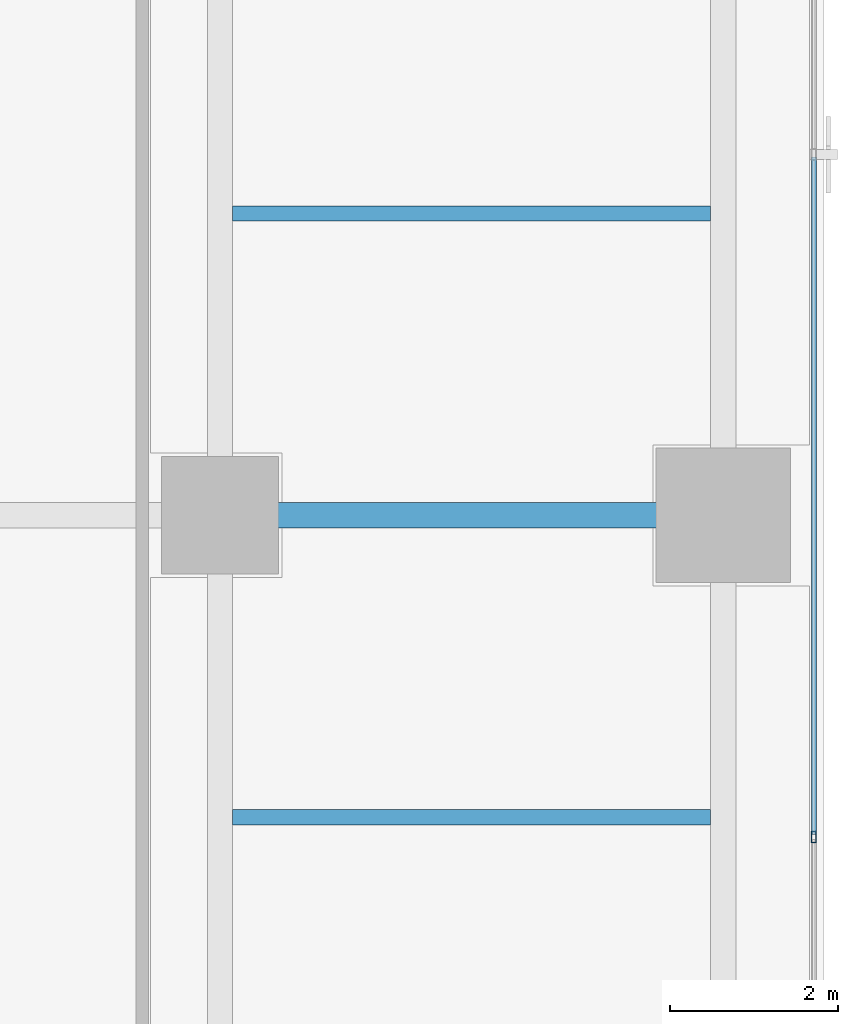
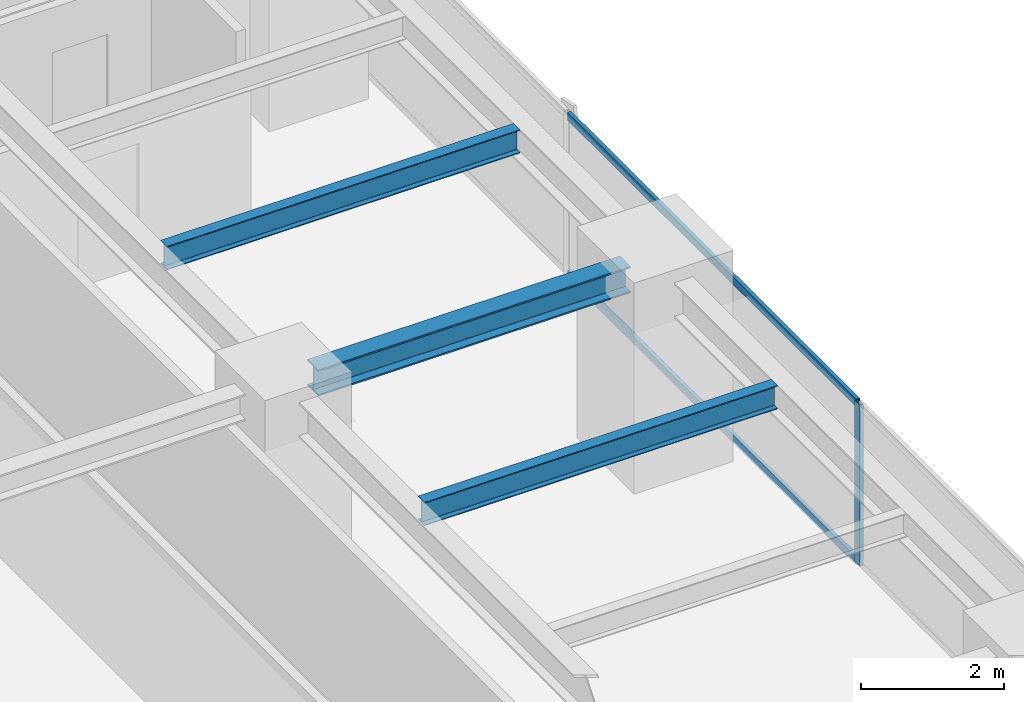
# One storey, part 15 of 28: 3 beams, 3 members, 1 element without a shape of its own.
"""IFC4 building model written with IfcOpenShell, lengths in metres."""

from ifc_helpers import new_model, si_unit, direction, frame, origin, origin_2d, place, context, subcontext, project, spatial, hollow_rectangle, i_section, extrude, source, transform, mapped, material, layer, layer_set, material_profile, profile_set, type_object, element, aggregate, save


model = new_model("IFC4")

# Units and contexts
model_context = context("Model", 3, precision=1e-05, world=origin(), true_north=direction((0.0, 1.0)))
body_context = subcontext(model_context, "Body", "Model", "MODEL_VIEW")
ifc_project = project(units=[si_unit("LENGTHUNIT", "METRE"), si_unit("AREAUNIT", "SQUARE_METRE"), si_unit("VOLUMEUNIT", "CUBIC_METRE"), si_unit("PLANEANGLEUNIT", "RADIAN"), si_unit("MASSUNIT", "GRAM", prefix="KILO")], contexts=[model_context])

# Site, building, storey
site_placement = place(None, origin())
site = spatial("IfcSite", under=ifc_project, at=site_placement, CompositionType="ELEMENT")
building_placement = place(site_placement, origin())
building = spatial("IfcBuilding", under=site, at=building_placement, Name="Sumidabori Civic Tower", CompositionType="ELEMENT")
storey_placement = place(building_placement, frame((0.0, 0.0, 210.800048828125)))
storey = spatial("IfcBuildingStorey", under=building, at=storey_placement, Name="L54", CompositionType="ELEMENT", Elevation=210.800048828125)

# Beams
ifc_material_1 = material(Name="Steel SN490", Category="steel")
ifc_material_profile_1 = material_profile(ifc_material_1, i_section(OverallWidth=0.179931640625, OverallDepth=0.39990234375, WebThickness=0.008544921875, FlangeThickness=0.013427734375, at=origin_2d()), Name="IPE 400")
ifc_profile_set_1 = profile_set([ifc_material_profile_1], Name="Steel SN490")
beam_type_1 = type_object("IfcBeamType", Name="BM-JST-400", PredefinedType="JOIST", material=ifc_profile_set_1)
shared_shape_1 = source(origin(), body_context, "Body", "SweptSolid", [
    extrude(i_section(OverallWidth=0.179931640625, OverallDepth=0.39990234375, WebThickness=0.008544921875, FlangeThickness=0.013427734375, at=origin_2d()), origin(), (0.0, 0.0, 1.0), 5.699951171875),
])
for number, where, z_axis, x_axis, name in (
    (1, (16.949951171875, -3.60009765625, 3.179931640625), (1.0, 0.0, 0.0), (0.0, 1.0, 0.0), "Outer Bay Floor Joist L54 JSTO-28"),
    (2, (16.949951171875, 3.60009765625, 3.179931640625), (1.0, 0.0, 0.0), (0.0, 1.0, 0.0), "Outer Bay Floor Joist L54 JSTO-30"),
):
    element("IfcBeam", number, at=place(storey_placement, frame(where, z_axis=z_axis, x_axis=x_axis)), inside=storey, type_object=beam_type_1, Name=name, PredefinedType="JOIST", context=body_context, shape_type="MappedRepresentation", body=[
        mapped(shared_shape_1, transform((0.0, 0.0, 0.0), x_axis=(1.0, 0.0, 0.0), y_axis=(0.0, 1.0, 0.0), z_axis=(0.0, 0.0, 1.0), scale=1.0)),
    ])
ifc_material_profile_2 = material_profile(ifc_material_1, i_section(OverallWidth=0.300048828125, OverallDepth=0.449951171875, WebThickness=0.013916015625, FlangeThickness=0.02587890625, at=origin_2d()), Name="HE 450 B")
ifc_profile_set_2 = profile_set([ifc_material_profile_2], Name="Steel SN490")
beam_type_2 = type_object("IfcBeamType", Name="BM-GIRD-450", PredefinedType="BEAM", material=ifc_profile_set_2)
shared_shape_2 = source(origin(), body_context, "Body", "SweptSolid", [
    extrude(i_section(OverallWidth=0.300048828125, OverallDepth=0.449951171875, WebThickness=0.013916015625, FlangeThickness=0.02587890625, at=origin_2d()), origin(), (0.0, 0.0, 1.0), 5.0400390625),
])
beam_placement = place(storey_placement, frame((17.280029296875, 0.0, 3.155029296875), z_axis=(1.0, 0.0, 0.0), x_axis=(0.0, 1.0, 0.0)))
element("IfcBeam", 3, at=beam_placement, inside=storey, type_object=beam_type_2, Name="Primary Girder L54 GX-08", PredefinedType="BEAM", context=body_context, shape_type="MappedRepresentation", body=[
    mapped(shared_shape_2, transform((0.0, 0.0, 0.0), x_axis=(1.0, 0.0, 0.0), y_axis=(0.0, 1.0, 0.0), z_axis=(0.0, 0.0, 1.0), scale=1.0)),
])

# Curtain wall, members
ifc_material_2 = material(Name="Anodised Bronze Aluminium AW-6063-T6", Category="aluminium")
ifc_layer = layer(ifc_material_2, 0.179931640625, Name="Anodised Bronze Aluminium AW-6063-T6")
ifc_layer_set = layer_set([ifc_layer], Name="Anodised Bronze Aluminium AW-6063-T6")
curtain_wall_type = type_object("IfcCurtainWallType", Name="CW-SYS-5", PredefinedType="NOTDEFINED", material=ifc_layer_set)
curtain_wall_placement = place(storey_placement, origin())
curtain_wall = element("IfcCurtainWall", 4, at=curtain_wall_placement, inside=storey, type_object=curtain_wall_type, Name="Curtain Wall CW:L54:R10", PredefinedType="NOTDEFINED")
ifc_material_profile_3 = material_profile(ifc_material_2, hollow_rectangle(XDim=0.06005859375, YDim=0.139892578125, WallThickness=0.0048828125, at=origin_2d()), Name="ALU MULLION 140x60")
ifc_profile_set_3 = profile_set([ifc_material_profile_3], Name="Anodised Bronze Aluminium AW-6063-T6")
member_type_1 = type_object("IfcMemberType", Name="CW-MUL-140", PredefinedType="MULLION", material=ifc_profile_set_3)
shared_shape_3 = source(origin(), body_context, "Body", "SweptSolid", [
    extrude(hollow_rectangle(XDim=0.06005859375, YDim=0.139892578125, WallThickness=0.0048828125, at=origin_2d()), origin(), (0.0, 0.0, 1.0), 2.760009765625),
])
member_1_placement = place(storey_placement, frame((23.8798828125, -3.8349609375, 0.0), z_axis=(0.0, 0.0, 1.0), x_axis=(-1.0, 0.0, 0.0)))
member_1 = element("IfcMember", 5, at=member_1_placement, type_object=member_type_1, Name="CW-5 mullion 2", PredefinedType="MULLION", context=body_context, shape_type="MappedRepresentation", body=[
    mapped(shared_shape_3, transform((0.0, 0.0, 0.0), x_axis=(1.0, 0.0, 0.0), y_axis=(0.0, 1.0, 0.0), z_axis=(0.0, 0.0, 1.0), scale=1.0)),
])
ifc_material_profile_4 = material_profile(ifc_material_2, hollow_rectangle(XDim=0.06005859375, YDim=0.1298828125, WallThickness=0.0048828125, at=origin_2d()), Name="ALU TRANSOM 130x60")
ifc_profile_set_4 = profile_set([ifc_material_profile_4], Name="Anodised Bronze Aluminium AW-6063-T6")
member_type_2 = type_object("IfcMemberType", Name="CW-TRN-130", PredefinedType="USERDEFINED", material=ifc_profile_set_4)
shared_shape_4 = source(origin(), body_context, "Body", "SweptSolid", [
    extrude(hollow_rectangle(XDim=0.06005859375, YDim=0.1298828125, WallThickness=0.0048828125, at=origin_2d()), origin(), (0.0, 0.0, 1.0), 8.074951171875),
])
member_2_placement = place(storey_placement, frame((23.8798828125, -3.804931640625, 0.030029296875), z_axis=(0.0, 1.0, 0.0), x_axis=(-1.0, 0.0, 0.0)))
member_2 = element("IfcMember", 6, at=member_2_placement, type_object=member_type_2, Name="CW-5 transom 2.1", ObjectType="TRANSOM", PredefinedType="USERDEFINED", context=body_context, shape_type="MappedRepresentation", body=[
    mapped(shared_shape_4, transform((0.0, 0.0, 0.0), x_axis=(1.0, 0.0, 0.0), y_axis=(0.0, 1.0, 0.0), z_axis=(0.0, 0.0, 1.0), scale=1.0)),
])
member_3_placement = place(storey_placement, frame((23.8798828125, -3.804931640625, 2.72998046875), z_axis=(0.0, 1.0, 0.0), x_axis=(-1.0, 0.0, 0.0)))
member_3 = element("IfcMember", 7, at=member_3_placement, type_object=member_type_2, Name="CW-5 transom 2.2", ObjectType="TRANSOM", PredefinedType="USERDEFINED", context=body_context, shape_type="MappedRepresentation", body=[
    mapped(shared_shape_4, transform((0.0, 0.0, 0.0), x_axis=(1.0, 0.0, 0.0), y_axis=(0.0, 1.0, 0.0), z_axis=(0.0, 0.0, 1.0), scale=1.0)),
])
aggregate(curtain_wall, [member_1, member_2, member_3])

save(model, "model.ifc")
